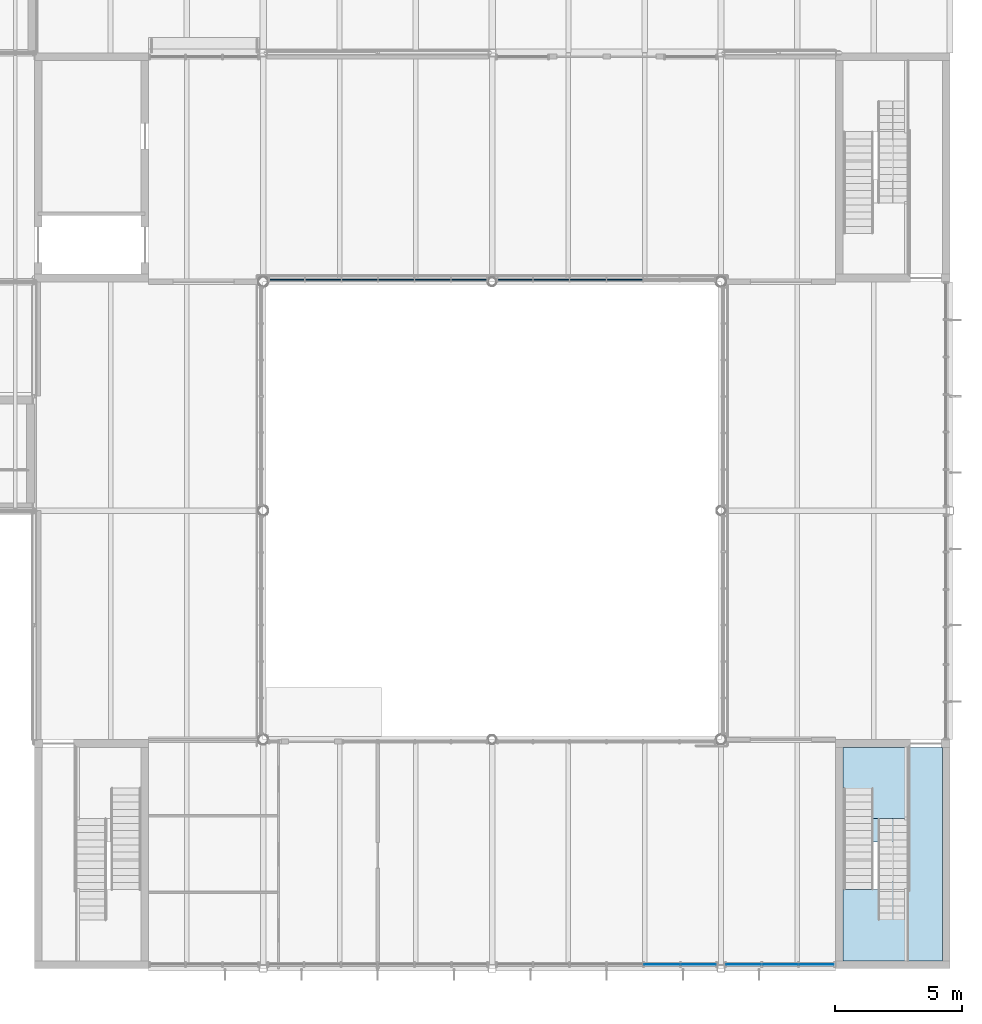
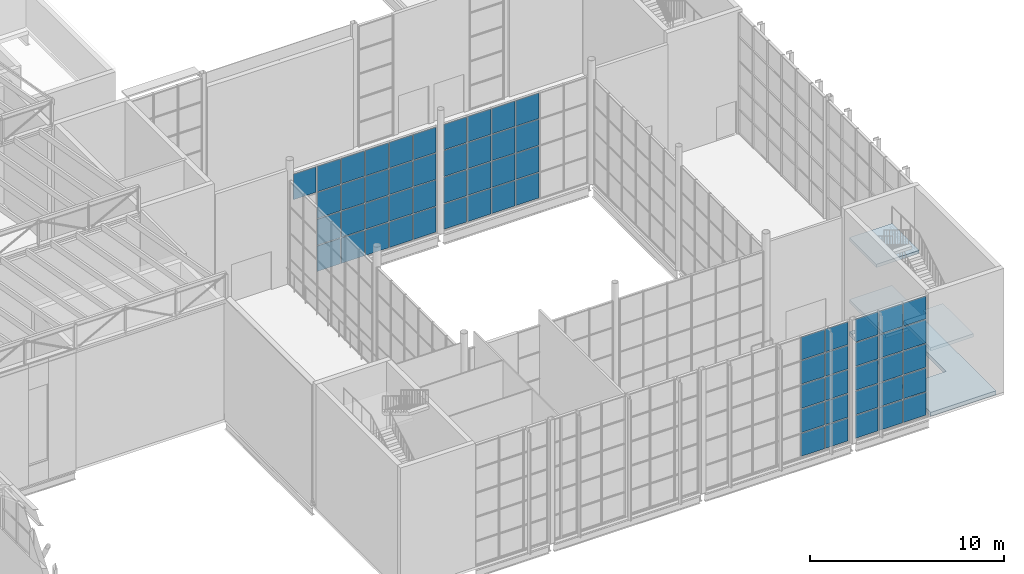
# One storey, part 71 of 90: 62 plates, 4 slabs, 5 elements without a shape of their own.
"""IFC4 building model written with IfcOpenShell, lengths in metres."""

from ifc_helpers import new_model, si_unit, direction, frame, origin, origin_2d, place, context, subcontext, project, spatial, polyline, rectangle, outline, extrude, material, layer, layer_set, type_object, element, aggregate, save


model = new_model("IFC4")

# Units and contexts
model_context = context("Model", 3, precision=1e-05, world=origin(), true_north=direction((0.0, 1.0)))
body_context = subcontext(model_context, "Body", "Model", "MODEL_VIEW")
ifc_project = project(units=[si_unit("LENGTHUNIT", "METRE"), si_unit("AREAUNIT", "SQUARE_METRE"), si_unit("VOLUMEUNIT", "CUBIC_METRE"), si_unit("PLANEANGLEUNIT", "RADIAN"), si_unit("MASSUNIT", "GRAM", prefix="KILO")], contexts=[model_context])

# Site, building, storey
site_placement = place(None, origin())
site = spatial("IfcSite", under=ifc_project, at=site_placement, CompositionType="ELEMENT")
building_placement = place(site_placement, origin())
building = spatial("IfcBuilding", under=site, at=building_placement, Name="Halyard Row Museum", CompositionType="ELEMENT")
storey_placement = place(building_placement, frame((0.0, 0.0, 13.39990234375)))
storey = spatial("IfcBuildingStorey", under=building, at=storey_placement, Name="L03", CompositionType="ELEMENT", Elevation=13.39990234375)

# Slab
ifc_material_1 = material(Name="Concrete 40 MPa", Category="concrete")
ifc_layer_1 = layer(ifc_material_1, 0.25)
ifc_layer_set_1 = layer_set([ifc_layer_1], Name="Concrete 40 MPa")
slab_type_1 = type_object("IfcSlabType", Name="Core floor slab 250", PredefinedType="FLOOR", material=ifc_layer_set_1)
slab_1_placement = place(storey_placement, frame((0.0, 0.0, -0.25)))
element("IfcSlab", 1, at=slab_1_placement, inside=storey, type_object=slab_type_1, Name="Core floor K2B L03", PredefinedType="FLOOR", context=body_context, shape_type="SweptSolid", body=[
    extrude(outline(polyline([(107.699951171875, 8.699951171875), (103.800048828125, 8.699951171875), (103.800048828125, 0.300048828125), (107.699951171875, 0.300048828125), (107.699951171875, 8.699951171875)]), holes=[polyline([(106.346923828125, 8.697021484375), (106.346923828125, 3.10302734375), (103.802978515625, 3.10302734375), (103.802978515625, 8.697021484375), (106.346923828125, 8.697021484375)])]), origin(), (0.0, 0.0, 1.0), 0.25),
])

# Curtain wall, plates
ifc_material_2 = material(Name="Double glazed unit, low-emissivity", Category="glass")
ifc_layer_2 = layer(ifc_material_2, 0.219970703125)
ifc_layer_set_2 = layer_set([ifc_layer_2], Name="Double glazed unit, low-emissivity")
curtain_wall_type_1 = type_object("IfcCurtainWallType", Name="Curtain wall unitised 220 deep", PredefinedType="NOTDEFINED", material=ifc_layer_set_2)
curtain_wall_1_placement = place(storey_placement, origin())
curtain_wall_1 = element("IfcCurtainWall", 2, at=curtain_wall_1_placement, inside=storey, type_object=curtain_wall_type_1, Name="Curtain wall CW046", PredefinedType="NOTDEFINED")
ifc_material_3 = material(Name="Double glazed unit, low-emissivity", Category="glass")
ifc_layer_3 = layer(ifc_material_3, 0.035888671875)
ifc_layer_set_3 = layer_set([ifc_layer_3], Name="Double glazed unit, low-emissivity")
plate_type_1 = type_object("IfcPlateType", Name="Curtain wall glazed panel CP3 36", PredefinedType="CURTAIN_PANEL", material=ifc_layer_set_3)
plate_1_placement = place(storey_placement, frame((96.675048828125, 0.159912109375, 0.06005859375), z_axis=(0.0, 0.0, 1.0), x_axis=(1.0, 0.0, 0.0)))
plate_1 = element("IfcPlate", 3, at=plate_1_placement, type_object=plate_type_1, Name="CW046 panel 5.1", PredefinedType="CURTAIN_PANEL", context=body_context, shape_type="SweptSolid", body=[
    extrude(rectangle(XDim=1.389892578125, YDim=0.035888671875, at=origin_2d()), origin(), (0.0, 0.0, 1.0), 1.43701171875),
])
plate_2_placement = place(storey_placement, frame((96.675048828125, 0.159912109375, 1.55712890625), z_axis=(0.0, 0.0, 1.0), x_axis=(1.0, 0.0, 0.0)))
plate_2 = element("IfcPlate", 4, at=plate_2_placement, type_object=plate_type_1, Name="CW046 panel 5.2", PredefinedType="CURTAIN_PANEL", context=body_context, shape_type="SweptSolid", body=[
    extrude(rectangle(XDim=1.389892578125, YDim=0.035888671875, at=origin_2d()), origin(), (0.0, 0.0, 1.0), 1.467041015625),
])
plate_3_placement = place(storey_placement, frame((96.675048828125, 0.159912109375, 3.083984375), z_axis=(0.0, 0.0, 1.0), x_axis=(1.0, 0.0, 0.0)))
plate_3 = element("IfcPlate", 5, at=plate_3_placement, type_object=plate_type_1, Name="CW046 panel 5.3", PredefinedType="CURTAIN_PANEL", context=body_context, shape_type="SweptSolid", body=[
    extrude(rectangle(XDim=1.389892578125, YDim=0.035888671875, at=origin_2d()), origin(), (0.0, 0.0, 1.0), 1.467041015625),
])
plate_4_placement = place(storey_placement, frame((96.675048828125, 0.159912109375, 4.61083984375), z_axis=(0.0, 0.0, 1.0), x_axis=(1.0, 0.0, 0.0)))
plate_4 = element("IfcPlate", 6, at=plate_4_placement, type_object=plate_type_1, Name="CW046 panel 5.4", PredefinedType="CURTAIN_PANEL", context=body_context, shape_type="SweptSolid", body=[
    extrude(rectangle(XDim=1.389892578125, YDim=0.035888671875, at=origin_2d()), origin(), (0.0, 0.0, 1.0), 1.467041015625),
])
plate_5_placement = place(storey_placement, frame((96.675048828125, 0.159912109375, 6.13818359375), z_axis=(0.0, 0.0, 1.0), x_axis=(1.0, 0.0, 0.0)))
plate_5 = element("IfcPlate", 7, at=plate_5_placement, type_object=plate_type_1, Name="CW046 panel 5.5", PredefinedType="CURTAIN_PANEL", context=body_context, shape_type="SweptSolid", body=[
    extrude(rectangle(XDim=1.389892578125, YDim=0.035888671875, at=origin_2d()), origin(), (0.0, 0.0, 1.0), 1.43701171875),
])
plate_6_placement = place(storey_placement, frame((98.110107421875, 0.159912109375, 0.06005859375), z_axis=(0.0, 0.0, 1.0), x_axis=(1.0, 0.0, 0.0)))
plate_6 = element("IfcPlate", 8, at=plate_6_placement, type_object=plate_type_1, Name="CW046 panel 6.1", PredefinedType="CURTAIN_PANEL", context=body_context, shape_type="SweptSolid", body=[
    extrude(rectangle(XDim=1.360107421875, YDim=0.035888671875, at=origin_2d()), origin(), (0.0, 0.0, 1.0), 1.43701171875),
])
plate_7_placement = place(storey_placement, frame((98.110107421875, 0.159912109375, 1.55712890625), z_axis=(0.0, 0.0, 1.0), x_axis=(1.0, 0.0, 0.0)))
plate_7 = element("IfcPlate", 9, at=plate_7_placement, type_object=plate_type_1, Name="CW046 panel 6.2", PredefinedType="CURTAIN_PANEL", context=body_context, shape_type="SweptSolid", body=[
    extrude(rectangle(XDim=1.360107421875, YDim=0.035888671875, at=origin_2d()), origin(), (0.0, 0.0, 1.0), 1.467041015625),
])
plate_8_placement = place(storey_placement, frame((98.110107421875, 0.159912109375, 3.083984375), z_axis=(0.0, 0.0, 1.0), x_axis=(1.0, 0.0, 0.0)))
plate_8 = element("IfcPlate", 10, at=plate_8_placement, type_object=plate_type_1, Name="CW046 panel 6.3", PredefinedType="CURTAIN_PANEL", context=body_context, shape_type="SweptSolid", body=[
    extrude(rectangle(XDim=1.360107421875, YDim=0.035888671875, at=origin_2d()), origin(), (0.0, 0.0, 1.0), 1.467041015625),
])
plate_9_placement = place(storey_placement, frame((98.110107421875, 0.159912109375, 4.61083984375), z_axis=(0.0, 0.0, 1.0), x_axis=(1.0, 0.0, 0.0)))
plate_9 = element("IfcPlate", 11, at=plate_9_placement, type_object=plate_type_1, Name="CW046 panel 6.4", PredefinedType="CURTAIN_PANEL", context=body_context, shape_type="SweptSolid", body=[
    extrude(rectangle(XDim=1.360107421875, YDim=0.035888671875, at=origin_2d()), origin(), (0.0, 0.0, 1.0), 1.467041015625),
])
plate_10_placement = place(storey_placement, frame((98.110107421875, 0.159912109375, 6.13818359375), z_axis=(0.0, 0.0, 1.0), x_axis=(1.0, 0.0, 0.0)))
plate_10 = element("IfcPlate", 12, at=plate_10_placement, type_object=plate_type_1, Name="CW046 panel 6.5", PredefinedType="CURTAIN_PANEL", context=body_context, shape_type="SweptSolid", body=[
    extrude(rectangle(XDim=1.360107421875, YDim=0.035888671875, at=origin_2d()), origin(), (0.0, 0.0, 1.0), 1.43701171875),
])
aggregate(curtain_wall_1, [plate_1, plate_2, plate_3, plate_4, plate_5, plate_6, plate_7, plate_8, plate_9, plate_10])

curtain_wall_2_placement = place(storey_placement, origin())
curtain_wall_2 = element("IfcCurtainWall", 13, at=curtain_wall_2_placement, inside=storey, type_object=curtain_wall_type_1, Name="Curtain wall CW047", PredefinedType="NOTDEFINED")
plate_11_placement = place(storey_placement, frame((99.889892578125, 0.159912109375, 0.06005859375), z_axis=(0.0, 0.0, 1.0), x_axis=(1.0, 0.0, 0.0)))
plate_11 = element("IfcPlate", 14, at=plate_11_placement, type_object=plate_type_1, Name="CW047 panel 1.1", PredefinedType="CURTAIN_PANEL", context=body_context, shape_type="SweptSolid", body=[
    extrude(rectangle(XDim=1.360107421875, YDim=0.035888671875, at=origin_2d()), origin(), (0.0, 0.0, 1.0), 1.43701171875),
])
plate_12_placement = place(storey_placement, frame((99.889892578125, 0.159912109375, 1.55712890625), z_axis=(0.0, 0.0, 1.0), x_axis=(1.0, 0.0, 0.0)))
plate_12 = element("IfcPlate", 15, at=plate_12_placement, type_object=plate_type_1, Name="CW047 panel 1.2", PredefinedType="CURTAIN_PANEL", context=body_context, shape_type="SweptSolid", body=[
    extrude(rectangle(XDim=1.360107421875, YDim=0.035888671875, at=origin_2d()), origin(), (0.0, 0.0, 1.0), 1.467041015625),
])
plate_13_placement = place(storey_placement, frame((99.889892578125, 0.159912109375, 3.083984375), z_axis=(0.0, 0.0, 1.0), x_axis=(1.0, 0.0, 0.0)))
plate_13 = element("IfcPlate", 16, at=plate_13_placement, type_object=plate_type_1, Name="CW047 panel 1.3", PredefinedType="CURTAIN_PANEL", context=body_context, shape_type="SweptSolid", body=[
    extrude(rectangle(XDim=1.360107421875, YDim=0.035888671875, at=origin_2d()), origin(), (0.0, 0.0, 1.0), 1.467041015625),
])
plate_14_placement = place(storey_placement, frame((99.889892578125, 0.159912109375, 4.61083984375), z_axis=(0.0, 0.0, 1.0), x_axis=(1.0, 0.0, 0.0)))
plate_14 = element("IfcPlate", 17, at=plate_14_placement, type_object=plate_type_1, Name="CW047 panel 1.4", PredefinedType="CURTAIN_PANEL", context=body_context, shape_type="SweptSolid", body=[
    extrude(rectangle(XDim=1.360107421875, YDim=0.035888671875, at=origin_2d()), origin(), (0.0, 0.0, 1.0), 1.467041015625),
])
plate_15_placement = place(storey_placement, frame((99.889892578125, 0.159912109375, 6.13818359375), z_axis=(0.0, 0.0, 1.0), x_axis=(1.0, 0.0, 0.0)))
plate_15 = element("IfcPlate", 18, at=plate_15_placement, type_object=plate_type_1, Name="CW047 panel 1.5", PredefinedType="CURTAIN_PANEL", context=body_context, shape_type="SweptSolid", body=[
    extrude(rectangle(XDim=1.360107421875, YDim=0.035888671875, at=origin_2d()), origin(), (0.0, 0.0, 1.0), 1.43701171875),
])
plate_16_placement = place(storey_placement, frame((101.324951171875, 0.159912109375, 0.06005859375), z_axis=(0.0, 0.0, 1.0), x_axis=(1.0, 0.0, 0.0)))
plate_16 = element("IfcPlate", 19, at=plate_16_placement, type_object=plate_type_1, Name="CW047 panel 2.1", PredefinedType="CURTAIN_PANEL", context=body_context, shape_type="SweptSolid", body=[
    extrude(rectangle(XDim=1.389892578125, YDim=0.035888671875, at=origin_2d()), origin(), (0.0, 0.0, 1.0), 1.43701171875),
])
plate_17_placement = place(storey_placement, frame((101.324951171875, 0.159912109375, 1.55712890625), z_axis=(0.0, 0.0, 1.0), x_axis=(1.0, 0.0, 0.0)))
plate_17 = element("IfcPlate", 20, at=plate_17_placement, type_object=plate_type_1, Name="CW047 panel 2.2", PredefinedType="CURTAIN_PANEL", context=body_context, shape_type="SweptSolid", body=[
    extrude(rectangle(XDim=1.389892578125, YDim=0.035888671875, at=origin_2d()), origin(), (0.0, 0.0, 1.0), 1.467041015625),
])
plate_18_placement = place(storey_placement, frame((101.324951171875, 0.159912109375, 3.083984375), z_axis=(0.0, 0.0, 1.0), x_axis=(1.0, 0.0, 0.0)))
plate_18 = element("IfcPlate", 21, at=plate_18_placement, type_object=plate_type_1, Name="CW047 panel 2.3", PredefinedType="CURTAIN_PANEL", context=body_context, shape_type="SweptSolid", body=[
    extrude(rectangle(XDim=1.389892578125, YDim=0.035888671875, at=origin_2d()), origin(), (0.0, 0.0, 1.0), 1.467041015625),
])
plate_19_placement = place(storey_placement, frame((101.324951171875, 0.159912109375, 4.61083984375), z_axis=(0.0, 0.0, 1.0), x_axis=(1.0, 0.0, 0.0)))
plate_19 = element("IfcPlate", 22, at=plate_19_placement, type_object=plate_type_1, Name="CW047 panel 2.4", PredefinedType="CURTAIN_PANEL", context=body_context, shape_type="SweptSolid", body=[
    extrude(rectangle(XDim=1.389892578125, YDim=0.035888671875, at=origin_2d()), origin(), (0.0, 0.0, 1.0), 1.467041015625),
])
plate_20_placement = place(storey_placement, frame((101.324951171875, 0.159912109375, 6.13818359375), z_axis=(0.0, 0.0, 1.0), x_axis=(1.0, 0.0, 0.0)))
plate_20 = element("IfcPlate", 23, at=plate_20_placement, type_object=plate_type_1, Name="CW047 panel 2.5", PredefinedType="CURTAIN_PANEL", context=body_context, shape_type="SweptSolid", body=[
    extrude(rectangle(XDim=1.389892578125, YDim=0.035888671875, at=origin_2d()), origin(), (0.0, 0.0, 1.0), 1.43701171875),
])
plate_21_placement = place(storey_placement, frame((102.760009765625, 0.159912109375, 0.06005859375), z_axis=(0.0, 0.0, 1.0), x_axis=(1.0, 0.0, 0.0)))
plate_21 = element("IfcPlate", 24, at=plate_21_placement, type_object=plate_type_1, Name="CW047 panel 3.1", PredefinedType="CURTAIN_PANEL", context=body_context, shape_type="SweptSolid", body=[
    extrude(rectangle(XDim=1.360107421875, YDim=0.035888671875, at=origin_2d()), origin(), (0.0, 0.0, 1.0), 1.43701171875),
])
plate_22_placement = place(storey_placement, frame((102.760009765625, 0.159912109375, 1.55712890625), z_axis=(0.0, 0.0, 1.0), x_axis=(1.0, 0.0, 0.0)))
plate_22 = element("IfcPlate", 25, at=plate_22_placement, type_object=plate_type_1, Name="CW047 panel 3.2", PredefinedType="CURTAIN_PANEL", context=body_context, shape_type="SweptSolid", body=[
    extrude(rectangle(XDim=1.360107421875, YDim=0.035888671875, at=origin_2d()), origin(), (0.0, 0.0, 1.0), 1.467041015625),
])
plate_23_placement = place(storey_placement, frame((102.760009765625, 0.159912109375, 3.083984375), z_axis=(0.0, 0.0, 1.0), x_axis=(1.0, 0.0, 0.0)))
plate_23 = element("IfcPlate", 26, at=plate_23_placement, type_object=plate_type_1, Name="CW047 panel 3.3", PredefinedType="CURTAIN_PANEL", context=body_context, shape_type="SweptSolid", body=[
    extrude(rectangle(XDim=1.360107421875, YDim=0.035888671875, at=origin_2d()), origin(), (0.0, 0.0, 1.0), 1.467041015625),
])
plate_24_placement = place(storey_placement, frame((102.760009765625, 0.159912109375, 4.61083984375), z_axis=(0.0, 0.0, 1.0), x_axis=(1.0, 0.0, 0.0)))
plate_24 = element("IfcPlate", 27, at=plate_24_placement, type_object=plate_type_1, Name="CW047 panel 3.4", PredefinedType="CURTAIN_PANEL", context=body_context, shape_type="SweptSolid", body=[
    extrude(rectangle(XDim=1.360107421875, YDim=0.035888671875, at=origin_2d()), origin(), (0.0, 0.0, 1.0), 1.467041015625),
])
plate_25_placement = place(storey_placement, frame((102.760009765625, 0.159912109375, 6.13818359375), z_axis=(0.0, 0.0, 1.0), x_axis=(1.0, 0.0, 0.0)))
plate_25 = element("IfcPlate", 28, at=plate_25_placement, type_object=plate_type_1, Name="CW047 panel 3.5", PredefinedType="CURTAIN_PANEL", context=body_context, shape_type="SweptSolid", body=[
    extrude(rectangle(XDim=1.360107421875, YDim=0.035888671875, at=origin_2d()), origin(), (0.0, 0.0, 1.0), 1.43701171875),
])
aggregate(curtain_wall_2, [plate_11, plate_12, plate_13, plate_14, plate_15, plate_16, plate_17, plate_18, plate_19, plate_20, plate_21, plate_22, plate_23, plate_24, plate_25])

ifc_material_4 = material(Name="Fire-resisting laminated glazing", Category="glass")
ifc_layer_4 = layer(ifc_material_4, 0.159912109375)
ifc_layer_set_4 = layer_set([ifc_layer_4], Name="Fire-resisting laminated glazing")
curtain_wall_type_2 = type_object("IfcCurtainWallType", Name="Curtain wall atrium screen 160 deep", PredefinedType="NOTDEFINED", material=ifc_layer_set_4)
curtain_wall_3_placement = place(storey_placement, origin())
curtain_wall_3 = element("IfcCurtainWall", 29, at=curtain_wall_3_placement, inside=storey, type_object=curtain_wall_type_2, Name="Curtain wall CW098", PredefinedType="NOTDEFINED")
ifc_material_5 = material(Name="Fire-resisting laminated glazing", Category="glass")
ifc_layer_5 = layer(ifc_material_5, 0.0400390625)
ifc_layer_set_5 = layer_set([ifc_layer_5], Name="Fire-resisting laminated glazing")
plate_type_2 = type_object("IfcPlateType", Name="Curtain wall glazed panel CP5 40", PredefinedType="CURTAIN_PANEL", material=ifc_layer_set_5)
plate_26_placement = place(storey_placement, frame((95.20556640625, 27.080078125, 0.06005859375), z_axis=(0.0, 0.0, 1.0), x_axis=(-1.0, 0.0, 0.0)))
plate_26 = element("IfcPlate", 30, at=plate_26_placement, type_object=plate_type_2, Name="CW098 panel 3.1", PredefinedType="CURTAIN_PANEL", context=body_context, shape_type="SweptSolid", body=[
    extrude(rectangle(XDim=1.37646484375, YDim=0.0400390625, at=origin_2d()), origin(), (0.0, 0.0, 1.0), 1.593017578125),
])
plate_27_placement = place(storey_placement, frame((95.20556640625, 27.080078125, 1.713134765625), z_axis=(0.0, 0.0, 1.0), x_axis=(-1.0, 0.0, 0.0)))
plate_27 = element("IfcPlate", 31, at=plate_27_placement, type_object=plate_type_2, Name="CW098 panel 3.2", PredefinedType="CURTAIN_PANEL", context=body_context, shape_type="SweptSolid", body=[
    extrude(rectangle(XDim=1.37646484375, YDim=0.0400390625, at=origin_2d()), origin(), (0.0, 0.0, 1.0), 1.623046875),
])
plate_28_placement = place(storey_placement, frame((95.20556640625, 27.080078125, 3.39599609375), z_axis=(0.0, 0.0, 1.0), x_axis=(-1.0, 0.0, 0.0)))
plate_28 = element("IfcPlate", 32, at=plate_28_placement, type_object=plate_type_2, Name="CW098 panel 3.3", PredefinedType="CURTAIN_PANEL", context=body_context, shape_type="SweptSolid", body=[
    extrude(rectangle(XDim=1.37646484375, YDim=0.0400390625, at=origin_2d()), origin(), (0.0, 0.0, 1.0), 1.623046875),
])
plate_29_placement = place(storey_placement, frame((95.20556640625, 27.080078125, 5.0791015625), z_axis=(0.0, 0.0, 1.0), x_axis=(-1.0, 0.0, 0.0)))
plate_29 = element("IfcPlate", 33, at=plate_29_placement, type_object=plate_type_2, Name="CW098 panel 3.4", PredefinedType="CURTAIN_PANEL", context=body_context, shape_type="SweptSolid", body=[
    extrude(rectangle(XDim=1.37646484375, YDim=0.0400390625, at=origin_2d()), origin(), (0.0, 0.0, 1.0), 1.593017578125),
])
plate_30_placement = place(storey_placement, frame((93.76904296875, 27.080078125, 0.06005859375), z_axis=(0.0, 0.0, 1.0), x_axis=(-1.0, 0.0, 0.0)))
plate_30 = element("IfcPlate", 34, at=plate_30_placement, type_object=plate_type_2, Name="CW098 panel 4.1", PredefinedType="CURTAIN_PANEL", context=body_context, shape_type="SweptSolid", body=[
    extrude(rectangle(XDim=1.37646484375, YDim=0.0400390625, at=origin_2d()), origin(), (0.0, 0.0, 1.0), 1.593017578125),
])
plate_31_placement = place(storey_placement, frame((93.76904296875, 27.080078125, 1.713134765625), z_axis=(0.0, 0.0, 1.0), x_axis=(-1.0, 0.0, 0.0)))
plate_31 = element("IfcPlate", 35, at=plate_31_placement, type_object=plate_type_2, Name="CW098 panel 4.2", PredefinedType="CURTAIN_PANEL", context=body_context, shape_type="SweptSolid", body=[
    extrude(rectangle(XDim=1.37646484375, YDim=0.0400390625, at=origin_2d()), origin(), (0.0, 0.0, 1.0), 1.623046875),
])
plate_32_placement = place(storey_placement, frame((93.76904296875, 27.080078125, 3.39599609375), z_axis=(0.0, 0.0, 1.0), x_axis=(-1.0, 0.0, 0.0)))
plate_32 = element("IfcPlate", 36, at=plate_32_placement, type_object=plate_type_2, Name="CW098 panel 4.3", PredefinedType="CURTAIN_PANEL", context=body_context, shape_type="SweptSolid", body=[
    extrude(rectangle(XDim=1.37646484375, YDim=0.0400390625, at=origin_2d()), origin(), (0.0, 0.0, 1.0), 1.623046875),
])
plate_33_placement = place(storey_placement, frame((93.76904296875, 27.080078125, 5.0791015625), z_axis=(0.0, 0.0, 1.0), x_axis=(-1.0, 0.0, 0.0)))
plate_33 = element("IfcPlate", 37, at=plate_33_placement, type_object=plate_type_2, Name="CW098 panel 4.4", PredefinedType="CURTAIN_PANEL", context=body_context, shape_type="SweptSolid", body=[
    extrude(rectangle(XDim=1.37646484375, YDim=0.0400390625, at=origin_2d()), origin(), (0.0, 0.0, 1.0), 1.593017578125),
])
plate_34_placement = place(storey_placement, frame((92.33251953125, 27.080078125, 0.06005859375), z_axis=(0.0, 0.0, 1.0), x_axis=(-1.0, 0.0, 0.0)))
plate_34 = element("IfcPlate", 38, at=plate_34_placement, type_object=plate_type_2, Name="CW098 panel 5.1", PredefinedType="CURTAIN_PANEL", context=body_context, shape_type="SweptSolid", body=[
    extrude(rectangle(XDim=1.37646484375, YDim=0.0400390625, at=origin_2d()), origin(), (0.0, 0.0, 1.0), 1.593017578125),
])
plate_35_placement = place(storey_placement, frame((92.33251953125, 27.080078125, 1.713134765625), z_axis=(0.0, 0.0, 1.0), x_axis=(-1.0, 0.0, 0.0)))
plate_35 = element("IfcPlate", 39, at=plate_35_placement, type_object=plate_type_2, Name="CW098 panel 5.2", PredefinedType="CURTAIN_PANEL", context=body_context, shape_type="SweptSolid", body=[
    extrude(rectangle(XDim=1.37646484375, YDim=0.0400390625, at=origin_2d()), origin(), (0.0, 0.0, 1.0), 1.623046875),
])
plate_36_placement = place(storey_placement, frame((92.33251953125, 27.080078125, 3.39599609375), z_axis=(0.0, 0.0, 1.0), x_axis=(-1.0, 0.0, 0.0)))
plate_36 = element("IfcPlate", 40, at=plate_36_placement, type_object=plate_type_2, Name="CW098 panel 5.3", PredefinedType="CURTAIN_PANEL", context=body_context, shape_type="SweptSolid", body=[
    extrude(rectangle(XDim=1.37646484375, YDim=0.0400390625, at=origin_2d()), origin(), (0.0, 0.0, 1.0), 1.623046875),
])
plate_37_placement = place(storey_placement, frame((92.33251953125, 27.080078125, 5.0791015625), z_axis=(0.0, 0.0, 1.0), x_axis=(-1.0, 0.0, 0.0)))
plate_37 = element("IfcPlate", 41, at=plate_37_placement, type_object=plate_type_2, Name="CW098 panel 5.4", PredefinedType="CURTAIN_PANEL", context=body_context, shape_type="SweptSolid", body=[
    extrude(rectangle(XDim=1.37646484375, YDim=0.0400390625, at=origin_2d()), origin(), (0.0, 0.0, 1.0), 1.593017578125),
])
plate_38_placement = place(storey_placement, frame((90.9111328125, 27.080078125, 0.06005859375), z_axis=(0.0, 0.0, 1.0), x_axis=(-1.0, 0.0, 0.0)))
plate_38 = element("IfcPlate", 42, at=plate_38_placement, type_object=plate_type_2, Name="CW098 panel 6.1", PredefinedType="CURTAIN_PANEL", context=body_context, shape_type="SweptSolid", body=[
    extrude(rectangle(XDim=1.346435546875, YDim=0.0400390625, at=origin_2d()), origin(), (0.0, 0.0, 1.0), 1.593017578125),
])
plate_39_placement = place(storey_placement, frame((90.9111328125, 27.080078125, 1.713134765625), z_axis=(0.0, 0.0, 1.0), x_axis=(-1.0, 0.0, 0.0)))
plate_39 = element("IfcPlate", 43, at=plate_39_placement, type_object=plate_type_2, Name="CW098 panel 6.2", PredefinedType="CURTAIN_PANEL", context=body_context, shape_type="SweptSolid", body=[
    extrude(rectangle(XDim=1.346435546875, YDim=0.0400390625, at=origin_2d()), origin(), (0.0, 0.0, 1.0), 1.623046875),
])
plate_40_placement = place(storey_placement, frame((90.9111328125, 27.080078125, 3.39599609375), z_axis=(0.0, 0.0, 1.0), x_axis=(-1.0, 0.0, 0.0)))
plate_40 = element("IfcPlate", 44, at=plate_40_placement, type_object=plate_type_2, Name="CW098 panel 6.3", PredefinedType="CURTAIN_PANEL", context=body_context, shape_type="SweptSolid", body=[
    extrude(rectangle(XDim=1.346435546875, YDim=0.0400390625, at=origin_2d()), origin(), (0.0, 0.0, 1.0), 1.623046875),
])
plate_41_placement = place(storey_placement, frame((90.9111328125, 27.080078125, 5.0791015625), z_axis=(0.0, 0.0, 1.0), x_axis=(-1.0, 0.0, 0.0)))
plate_41 = element("IfcPlate", 45, at=plate_41_placement, type_object=plate_type_2, Name="CW098 panel 6.4", PredefinedType="CURTAIN_PANEL", context=body_context, shape_type="SweptSolid", body=[
    extrude(rectangle(XDim=1.346435546875, YDim=0.0400390625, at=origin_2d()), origin(), (0.0, 0.0, 1.0), 1.593017578125),
])
aggregate(curtain_wall_3, [plate_26, plate_27, plate_28, plate_29, plate_30, plate_31, plate_32, plate_33, plate_34, plate_35, plate_36, plate_37, plate_38, plate_39, plate_40, plate_41])

curtain_wall_4_placement = place(storey_placement, origin())
curtain_wall_4 = element("IfcCurtainWall", 46, at=curtain_wall_4_placement, inside=storey, type_object=curtain_wall_type_2, Name="Curtain wall CW099", PredefinedType="NOTDEFINED")
plate_42_placement = place(storey_placement, frame((89.0888671875, 27.080078125, 0.06005859375), z_axis=(0.0, 0.0, 1.0), x_axis=(-1.0, 0.0, 0.0)))
plate_42 = element("IfcPlate", 47, at=plate_42_placement, type_object=plate_type_2, Name="CW099 panel 1.1", PredefinedType="CURTAIN_PANEL", context=body_context, shape_type="SweptSolid", body=[
    extrude(rectangle(XDim=1.346435546875, YDim=0.0400390625, at=origin_2d()), origin(), (0.0, 0.0, 1.0), 1.593017578125),
])
plate_43_placement = place(storey_placement, frame((89.0888671875, 27.080078125, 1.713134765625), z_axis=(0.0, 0.0, 1.0), x_axis=(-1.0, 0.0, 0.0)))
plate_43 = element("IfcPlate", 48, at=plate_43_placement, type_object=plate_type_2, Name="CW099 panel 1.2", PredefinedType="CURTAIN_PANEL", context=body_context, shape_type="SweptSolid", body=[
    extrude(rectangle(XDim=1.346435546875, YDim=0.0400390625, at=origin_2d()), origin(), (0.0, 0.0, 1.0), 1.623046875),
])
plate_44_placement = place(storey_placement, frame((89.0888671875, 27.080078125, 3.39599609375), z_axis=(0.0, 0.0, 1.0), x_axis=(-1.0, 0.0, 0.0)))
plate_44 = element("IfcPlate", 49, at=plate_44_placement, type_object=plate_type_2, Name="CW099 panel 1.3", PredefinedType="CURTAIN_PANEL", context=body_context, shape_type="SweptSolid", body=[
    extrude(rectangle(XDim=1.346435546875, YDim=0.0400390625, at=origin_2d()), origin(), (0.0, 0.0, 1.0), 1.623046875),
])
plate_45_placement = place(storey_placement, frame((89.0888671875, 27.080078125, 5.0791015625), z_axis=(0.0, 0.0, 1.0), x_axis=(-1.0, 0.0, 0.0)))
plate_45 = element("IfcPlate", 50, at=plate_45_placement, type_object=plate_type_2, Name="CW099 panel 1.4", PredefinedType="CURTAIN_PANEL", context=body_context, shape_type="SweptSolid", body=[
    extrude(rectangle(XDim=1.346435546875, YDim=0.0400390625, at=origin_2d()), origin(), (0.0, 0.0, 1.0), 1.593017578125),
])
plate_46_placement = place(storey_placement, frame((87.66748046875, 27.080078125, 0.06005859375), z_axis=(0.0, 0.0, 1.0), x_axis=(-1.0, 0.0, 0.0)))
plate_46 = element("IfcPlate", 51, at=plate_46_placement, type_object=plate_type_2, Name="CW099 panel 2.1", PredefinedType="CURTAIN_PANEL", context=body_context, shape_type="SweptSolid", body=[
    extrude(rectangle(XDim=1.37646484375, YDim=0.0400390625, at=origin_2d()), origin(), (0.0, 0.0, 1.0), 1.593017578125),
])
plate_47_placement = place(storey_placement, frame((87.66748046875, 27.080078125, 1.713134765625), z_axis=(0.0, 0.0, 1.0), x_axis=(-1.0, 0.0, 0.0)))
plate_47 = element("IfcPlate", 52, at=plate_47_placement, type_object=plate_type_2, Name="CW099 panel 2.2", PredefinedType="CURTAIN_PANEL", context=body_context, shape_type="SweptSolid", body=[
    extrude(rectangle(XDim=1.37646484375, YDim=0.0400390625, at=origin_2d()), origin(), (0.0, 0.0, 1.0), 1.623046875),
])
plate_48_placement = place(storey_placement, frame((87.66748046875, 27.080078125, 3.39599609375), z_axis=(0.0, 0.0, 1.0), x_axis=(-1.0, 0.0, 0.0)))
plate_48 = element("IfcPlate", 53, at=plate_48_placement, type_object=plate_type_2, Name="CW099 panel 2.3", PredefinedType="CURTAIN_PANEL", context=body_context, shape_type="SweptSolid", body=[
    extrude(rectangle(XDim=1.37646484375, YDim=0.0400390625, at=origin_2d()), origin(), (0.0, 0.0, 1.0), 1.623046875),
])
plate_49_placement = place(storey_placement, frame((87.66748046875, 27.080078125, 5.0791015625), z_axis=(0.0, 0.0, 1.0), x_axis=(-1.0, 0.0, 0.0)))
plate_49 = element("IfcPlate", 54, at=plate_49_placement, type_object=plate_type_2, Name="CW099 panel 2.4", PredefinedType="CURTAIN_PANEL", context=body_context, shape_type="SweptSolid", body=[
    extrude(rectangle(XDim=1.37646484375, YDim=0.0400390625, at=origin_2d()), origin(), (0.0, 0.0, 1.0), 1.593017578125),
])
plate_50_placement = place(storey_placement, frame((86.23095703125, 27.080078125, 0.06005859375), z_axis=(0.0, 0.0, 1.0), x_axis=(-1.0, 0.0, 0.0)))
plate_50 = element("IfcPlate", 55, at=plate_50_placement, type_object=plate_type_2, Name="CW099 panel 3.1", PredefinedType="CURTAIN_PANEL", context=body_context, shape_type="SweptSolid", body=[
    extrude(rectangle(XDim=1.37646484375, YDim=0.0400390625, at=origin_2d()), origin(), (0.0, 0.0, 1.0), 1.593017578125),
])
plate_51_placement = place(storey_placement, frame((86.23095703125, 27.080078125, 1.713134765625), z_axis=(0.0, 0.0, 1.0), x_axis=(-1.0, 0.0, 0.0)))
plate_51 = element("IfcPlate", 56, at=plate_51_placement, type_object=plate_type_2, Name="CW099 panel 3.2", PredefinedType="CURTAIN_PANEL", context=body_context, shape_type="SweptSolid", body=[
    extrude(rectangle(XDim=1.37646484375, YDim=0.0400390625, at=origin_2d()), origin(), (0.0, 0.0, 1.0), 1.623046875),
])
plate_52_placement = place(storey_placement, frame((86.23095703125, 27.080078125, 3.39599609375), z_axis=(0.0, 0.0, 1.0), x_axis=(-1.0, 0.0, 0.0)))
plate_52 = element("IfcPlate", 57, at=plate_52_placement, type_object=plate_type_2, Name="CW099 panel 3.3", PredefinedType="CURTAIN_PANEL", context=body_context, shape_type="SweptSolid", body=[
    extrude(rectangle(XDim=1.37646484375, YDim=0.0400390625, at=origin_2d()), origin(), (0.0, 0.0, 1.0), 1.623046875),
])
plate_53_placement = place(storey_placement, frame((86.23095703125, 27.080078125, 5.0791015625), z_axis=(0.0, 0.0, 1.0), x_axis=(-1.0, 0.0, 0.0)))
plate_53 = element("IfcPlate", 58, at=plate_53_placement, type_object=plate_type_2, Name="CW099 panel 3.4", PredefinedType="CURTAIN_PANEL", context=body_context, shape_type="SweptSolid", body=[
    extrude(rectangle(XDim=1.37646484375, YDim=0.0400390625, at=origin_2d()), origin(), (0.0, 0.0, 1.0), 1.593017578125),
])
plate_54_placement = place(storey_placement, frame((84.79443359375, 27.080078125, 0.06005859375), z_axis=(0.0, 0.0, 1.0), x_axis=(-1.0, 0.0, 0.0)))
plate_54 = element("IfcPlate", 59, at=plate_54_placement, type_object=plate_type_2, Name="CW099 panel 4.1", PredefinedType="CURTAIN_PANEL", context=body_context, shape_type="SweptSolid", body=[
    extrude(rectangle(XDim=1.37646484375, YDim=0.0400390625, at=origin_2d()), origin(), (0.0, 0.0, 1.0), 1.593017578125),
])
plate_55_placement = place(storey_placement, frame((84.79443359375, 27.080078125, 1.713134765625), z_axis=(0.0, 0.0, 1.0), x_axis=(-1.0, 0.0, 0.0)))
plate_55 = element("IfcPlate", 60, at=plate_55_placement, type_object=plate_type_2, Name="CW099 panel 4.2", PredefinedType="CURTAIN_PANEL", context=body_context, shape_type="SweptSolid", body=[
    extrude(rectangle(XDim=1.37646484375, YDim=0.0400390625, at=origin_2d()), origin(), (0.0, 0.0, 1.0), 1.623046875),
])
plate_56_placement = place(storey_placement, frame((84.79443359375, 27.080078125, 3.39599609375), z_axis=(0.0, 0.0, 1.0), x_axis=(-1.0, 0.0, 0.0)))
plate_56 = element("IfcPlate", 61, at=plate_56_placement, type_object=plate_type_2, Name="CW099 panel 4.3", PredefinedType="CURTAIN_PANEL", context=body_context, shape_type="SweptSolid", body=[
    extrude(rectangle(XDim=1.37646484375, YDim=0.0400390625, at=origin_2d()), origin(), (0.0, 0.0, 1.0), 1.623046875),
])
plate_57_placement = place(storey_placement, frame((84.79443359375, 27.080078125, 5.0791015625), z_axis=(0.0, 0.0, 1.0), x_axis=(-1.0, 0.0, 0.0)))
plate_57 = element("IfcPlate", 62, at=plate_57_placement, type_object=plate_type_2, Name="CW099 panel 4.4", PredefinedType="CURTAIN_PANEL", context=body_context, shape_type="SweptSolid", body=[
    extrude(rectangle(XDim=1.37646484375, YDim=0.0400390625, at=origin_2d()), origin(), (0.0, 0.0, 1.0), 1.593017578125),
])
plate_58_placement = place(storey_placement, frame((83.35791015625, 27.080078125, 0.06005859375), z_axis=(0.0, 0.0, 1.0), x_axis=(-1.0, 0.0, 0.0)))
plate_58 = element("IfcPlate", 63, at=plate_58_placement, type_object=plate_type_2, Name="CW099 panel 5.1", PredefinedType="CURTAIN_PANEL", context=body_context, shape_type="SweptSolid", body=[
    extrude(rectangle(XDim=1.37646484375, YDim=0.0400390625, at=origin_2d()), origin(), (0.0, 0.0, 1.0), 1.593017578125),
])
plate_59_placement = place(storey_placement, frame((83.35791015625, 27.080078125, 1.713134765625), z_axis=(0.0, 0.0, 1.0), x_axis=(-1.0, 0.0, 0.0)))
plate_59 = element("IfcPlate", 64, at=plate_59_placement, type_object=plate_type_2, Name="CW099 panel 5.2", PredefinedType="CURTAIN_PANEL", context=body_context, shape_type="SweptSolid", body=[
    extrude(rectangle(XDim=1.37646484375, YDim=0.0400390625, at=origin_2d()), origin(), (0.0, 0.0, 1.0), 1.623046875),
])
plate_60_placement = place(storey_placement, frame((83.35791015625, 27.080078125, 3.39599609375), z_axis=(0.0, 0.0, 1.0), x_axis=(-1.0, 0.0, 0.0)))
plate_60 = element("IfcPlate", 65, at=plate_60_placement, type_object=plate_type_2, Name="CW099 panel 5.3", PredefinedType="CURTAIN_PANEL", context=body_context, shape_type="SweptSolid", body=[
    extrude(rectangle(XDim=1.37646484375, YDim=0.0400390625, at=origin_2d()), origin(), (0.0, 0.0, 1.0), 1.623046875),
])
plate_61_placement = place(storey_placement, frame((83.35791015625, 27.080078125, 5.0791015625), z_axis=(0.0, 0.0, 1.0), x_axis=(-1.0, 0.0, 0.0)))
plate_61 = element("IfcPlate", 66, at=plate_61_placement, type_object=plate_type_2, Name="CW099 panel 5.4", PredefinedType="CURTAIN_PANEL", context=body_context, shape_type="SweptSolid", body=[
    extrude(rectangle(XDim=1.37646484375, YDim=0.0400390625, at=origin_2d()), origin(), (0.0, 0.0, 1.0), 1.593017578125),
])
plate_62_placement = place(storey_placement, frame((81.9365234375, 27.080078125, 5.0791015625), z_axis=(0.0, 0.0, 1.0), x_axis=(-1.0, 0.0, 0.0)))
plate_62 = element("IfcPlate", 67, at=plate_62_placement, type_object=plate_type_2, Name="CW099 panel 6.4", PredefinedType="CURTAIN_PANEL", context=body_context, shape_type="SweptSolid", body=[
    extrude(rectangle(XDim=1.346435546875, YDim=0.0400390625, at=origin_2d()), origin(), (0.0, 0.0, 1.0), 1.593017578125),
])
aggregate(curtain_wall_4, [plate_42, plate_43, plate_44, plate_45, plate_46, plate_47, plate_48, plate_49, plate_50, plate_51, plate_52, plate_53, plate_54, plate_55, plate_56, plate_57, plate_58, plate_59, plate_60, plate_61, plate_62])

# Stair, slabs
ifc_material_6 = material(Name="Concrete 40 MPa", Category="concrete")
stair_type = type_object("IfcStairType", Name="Exit stair four flights 1200", PredefinedType="DOUBLE_RETURN_STAIR", material=ifc_material_6)
stair_placement = place(storey_placement, origin())
stair = element("IfcStair", 68, at=stair_placement, inside=storey, type_object=stair_type, Name="Exit stair K2B L03", PredefinedType="DOUBLE_RETURN_STAIR")
ifc_material_7 = material(Name="Concrete 40 MPa", Category="concrete")
ifc_layer_6 = layer(ifc_material_7, 0.199951171875)
ifc_layer_set_6 = layer_set([ifc_layer_6], Name="Concrete 40 MPa")
slab_type_2 = type_object("IfcSlabType", Name="Exit stair landing 200", PredefinedType="LANDING", material=ifc_layer_set_6)
slab_2_placement = place(storey_placement, frame((0.0, 0.0, 1.8349609375)))
slab_2 = element("IfcSlab", 69, at=slab_2_placement, type_object=slab_type_2, Name="STK2B-L03 landing 1", PredefinedType="LANDING", context=body_context, shape_type="SweptSolid", body=[
    extrude(outline(polyline([(106.35009765625, 4.97998046875), (103.800048828125, 4.97998046875), (103.800048828125, 8.699951171875), (106.35009765625, 8.699951171875), (106.35009765625, 4.97998046875)])), origin(), (0.0, 0.0, 1.0), 0.199951171875),
])
slab_3_placement = place(storey_placement, frame((0.0, 0.0, 3.86962890625)))
slab_3 = element("IfcSlab", 70, at=slab_3_placement, type_object=slab_type_2, Name="STK2B-L03 landing 2", PredefinedType="LANDING", context=body_context, shape_type="SweptSolid", body=[
    extrude(outline(polyline([(106.35009765625, 0.300048828125), (103.800048828125, 0.300048828125), (103.800048828125, 3.10302734375), (105.14990234375, 3.10302734375), (105.14990234375, 3.449951171875), (106.35009765625, 3.449951171875), (106.35009765625, 0.300048828125)])), origin(), (0.0, 0.0, 1.0), 0.199951171875),
])
slab_4_placement = place(storey_placement, frame((0.0, 0.0, 5.73486328125)))
slab_4 = element("IfcSlab", 71, at=slab_4_placement, type_object=slab_type_2, Name="STK2B-L03 landing 3", PredefinedType="LANDING", context=body_context, shape_type="SweptSolid", body=[
    extrude(outline(polyline([(106.35009765625, 5.89990234375), (103.800048828125, 5.89990234375), (103.800048828125, 8.699951171875), (106.35009765625, 8.699951171875), (106.35009765625, 5.89990234375)])), origin(), (0.0, 0.0, 1.0), 0.199951171875),
])
aggregate(stair, [slab_2, slab_3, slab_4])

save(model, "model.ifc")
